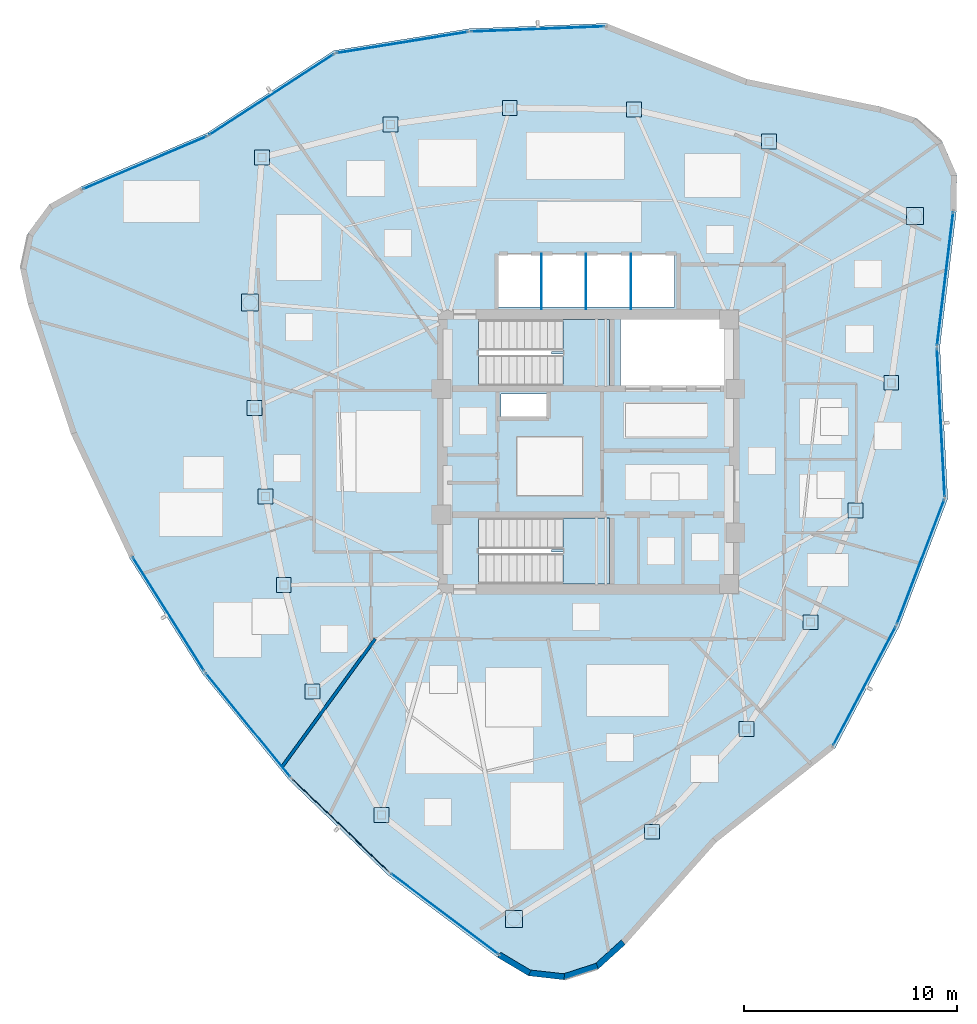
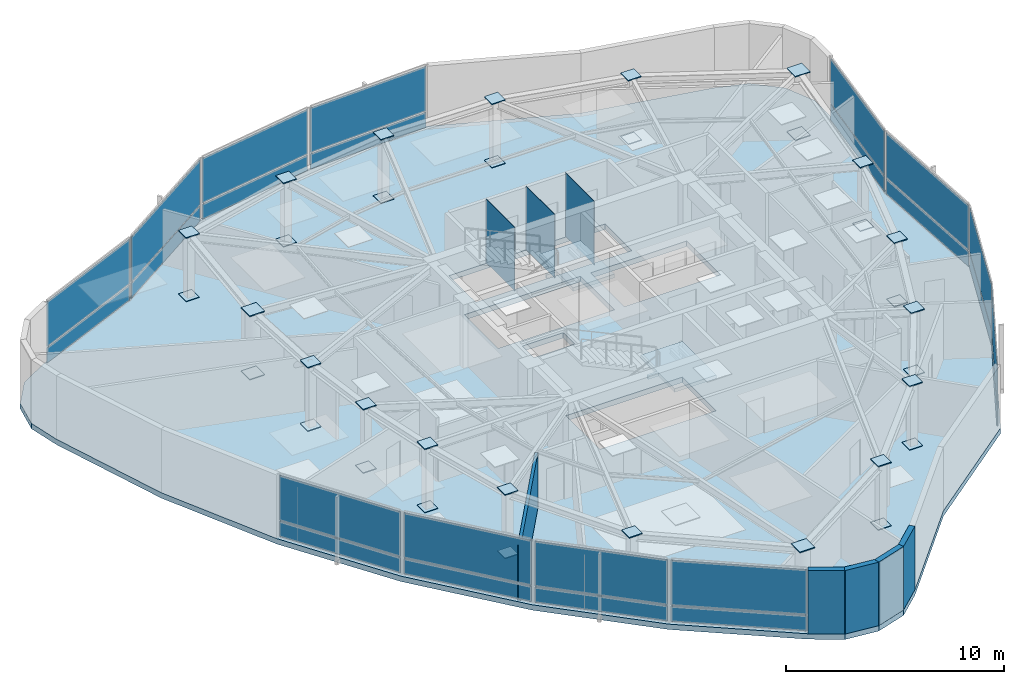
# One storey, part 7 of 12: 63 plates, 5 walls, 3 slabs, 14 elements without a shape of their own.
"""IFC4 building model written with IfcOpenShell, lengths in metres."""

from ifc_helpers import new_model, si_unit, direction, frame, frame_2d, origin, origin_2d, place, context, subcontext, project, spatial, polyline, rectangle, outline, extrude, source, transform, mapped, material, layer, layer_set, type_object, type_shapes, element, aggregate, save


model = new_model("IFC4")

# Units and contexts
model_context = context("Model", 3, precision=1e-05, world=origin(), true_north=direction((0.0, 1.0)))
body_context = subcontext(model_context, "Body", "Model", "MODEL_VIEW")
ifc_project = project(units=[si_unit("LENGTHUNIT", "METRE"), si_unit("AREAUNIT", "SQUARE_METRE"), si_unit("VOLUMEUNIT", "CUBIC_METRE"), si_unit("PLANEANGLEUNIT", "RADIAN"), si_unit("MASSUNIT", "GRAM", prefix="KILO")], contexts=[model_context])

# Site, building, storey
site_placement = place(None, origin())
site = spatial("IfcSite", under=ifc_project, at=site_placement, CompositionType="ELEMENT")
building_placement = place(site_placement, origin())
building = spatial("IfcBuilding", under=site, at=building_placement, Name="Tavelor Broadcast Tower", CompositionType="ELEMENT")
storey_placement = place(building_placement, frame((0.0, 0.0, 321.5)))
storey = spatial("IfcBuildingStorey", under=building, at=storey_placement, Name="L77", CompositionType="ELEMENT", Elevation=321.5)

# Stair, slab
ifc_material_1 = material(Name="Concrete C40/50", Category="concrete")
stair_type = type_object("IfcStairType", Name="Reinforced Concrete Protected Dogleg Stair 1450 mm", PredefinedType="HALF_TURN_STAIR", material=ifc_material_1)
stair_1_placement = place(storey_placement, origin())
stair_1 = element("IfcStair", 1, at=stair_1_placement, inside=storey, type_object=stair_type, Name="L77 Protected Core Exit Stair ST1", PredefinedType="HALF_TURN_STAIR")
ifc_layer_1 = layer(ifc_material_1, 0.199951171875)
ifc_layer_set_1 = layer_set([ifc_layer_1], Name="Concrete C40/50")
slab_type_1 = type_object("IfcSlabType", Name="Reinforced Concrete Stair Half-Landing Slab 200 mm", PredefinedType="LANDING", material=ifc_layer_set_1)
slab_1_placement = place(storey_placement, frame((0.0, 0.0, 1.800048828125)))
slab_1 = element("IfcSlab", 2, at=slab_1_placement, type_object=slab_type_1, Name="ST1 landing 1", PredefinedType="LANDING", context=body_context, shape_type="SweptSolid", body=[
    extrude(outline(polyline([(48.804931640625, 49.590087890625), (48.804931640625, 48.094970703125), (51.0048828125, 48.094970703125), (51.0048828125, 51.205078125), (48.804931640625, 51.205078125), (48.804931640625, 49.7099609375), (48.264892578125, 49.7099609375), (48.264892578125, 49.590087890625), (48.804931640625, 49.590087890625)])), origin(), (0.0, 0.0, 1.0), 0.199951171875),
])
aggregate(stair_1, [slab_1])

stair_2_placement = place(storey_placement, origin())
stair_2 = element("IfcStair", 3, at=stair_2_placement, inside=storey, type_object=stair_type, Name="L77 Protected Core Exit Stair ST2", PredefinedType="HALF_TURN_STAIR")
slab_2_placement = place(storey_placement, frame((0.0, 0.0, 1.800048828125)))
slab_2 = element("IfcSlab", 4, at=slab_2_placement, type_object=slab_type_1, Name="ST2 landing 1", PredefinedType="LANDING", context=body_context, shape_type="SweptSolid", body=[
    extrude(outline(polyline([(48.804931640625, 40.2900390625), (48.804931640625, 38.794921875), (51.0048828125, 38.794921875), (51.0048828125, 41.905029296875), (48.804931640625, 41.905029296875), (48.804931640625, 40.409912109375), (48.264892578125, 40.409912109375), (48.264892578125, 40.2900390625), (48.804931640625, 40.2900390625)])), origin(), (0.0, 0.0, 1.0), 0.199951171875),
])
aggregate(stair_2, [slab_2])

# Slab
ifc_layer_2 = layer(ifc_material_1, 0.300048828125)
ifc_layer_set_2 = layer_set([ifc_layer_2], Name="Concrete C40/50")
slab_type_2 = type_object("IfcSlabType", Name="Tower Composite Floor Slab 300 mm", PredefinedType="FLOOR", material=ifc_layer_set_2)
slab_3_placement = place(storey_placement, frame((0.0, 0.0, -0.300048828125)))
element("IfcSlab", 5, at=slab_3_placement, inside=storey, type_object=slab_type_2, Name="L77 Structural Floor Slab", PredefinedType="FLOOR", context=body_context, shape_type="SweptSolid", body=[
    extrude(outline(polyline([(26.188720703125, 57.428466796875), (24.71484375, 56.60302734375), (23.711181640625, 55.244384765625), (23.355712890625, 53.593017578125), (23.711181640625, 51.941650390625), (25.732666015625, 45.838134765625), (28.477783203125, 40.024169921875), (31.906005859375, 34.585205078125), (35.967529296875, 29.600830078125), (40.602294921875, 25.144775390625), (45.7421875, 21.2822265625), (47.194091796875, 20.41845703125), (48.87255859375, 20.228759765625), (50.480224609375, 20.74658203125), (51.732666015625, 21.880126953125), (56.0078125, 26.682373046875), (61.584228515625, 31.1025390625), (64.58056640625, 36.791259765625), (66.8662109375, 42.80078125), (66.493896484375, 49.90673828125), (67.26904296875, 56.289306640625), (67.291259765625, 57.978515625), (66.6162109375, 59.52685546875), (65.364013671875, 60.660400390625), (63.756103515625, 61.17822265625), (57.459716796875, 62.4794921875), (50.843505859375, 65.0986328125), (44.418701171875, 64.84912109375), (38.071533203125, 63.823974609375), (32.103515625, 59.948486328125), (26.188720703125, 57.428466796875)]), holes=[polyline([(50.99609375, 41.89599609375), (50.99609375, 38.803955078125), (44.85400390625, 38.803955078125), (44.85400390625, 41.89599609375), (50.99609375, 41.89599609375)]), polyline([(48.050048828125, 47.699951171875), (48.050048828125, 46.64990234375), (45.89990234375, 46.64990234375), (45.89990234375, 47.699951171875), (48.050048828125, 47.699951171875)]), polyline([(50.99609375, 51.196044921875), (50.99609375, 48.10400390625), (44.85400390625, 48.10400390625), (44.85400390625, 51.196044921875), (50.99609375, 51.196044921875)]), polyline([(56.60009765625, 48.10009765625), (51.52001953125, 48.10009765625), (51.52001953125, 51.199951171875), (56.60009765625, 51.199951171875), (56.60009765625, 48.10009765625)]), polyline([(54.050048828125, 51.800048828125), (45.800048828125, 51.800048828125), (45.800048828125, 54.25), (54.050048828125, 54.25), (54.050048828125, 51.800048828125)])]), origin(), (0.0, 0.0, 1.0), 0.300048828125),
])

# Plates
ifc_material_2 = material(Name="Steel S460", Category="steel")
ifc_layer_3 = layer(ifc_material_2, 0.050048828125)
ifc_layer_set_3 = layer_set([ifc_layer_3], Name="Steel S460")
plate_type_1 = type_object("IfcPlateType", Name="Tube Hollow-End Cap Plate KN05 700x700x50", PredefinedType="USERDEFINED", material=ifc_layer_set_3)
shared_shape_1 = source(origin(), body_context, "Body", "SweptSolid", [
    extrude(rectangle(XDim=0.699951171875, YDim=0.699951171875, at=origin_2d()), origin(), (0.0, 0.0, 1.0), 0.054931640625),
])
for number, where, z_axis, x_axis, name in (
    (6, (34.341552734375, 47.061279296875, -0.02734375), (0.0, 0.0, 1.0), (1.0, 0.0, 0.0), "L77 Hollow End Cap Plate KN05 #2355"),
    (7, (34.341552734375, 47.061279296875, 3.5224609375), (0.0, 0.0, 1.0), (1.0, 0.0, 0.0), "L77 Hollow End Cap Plate KN05 #2356"),
    (8, (34.85400390625, 42.90185546875, -0.02734375), (0.0, 0.0, 1.0), (1.0, 0.0, 0.0), "L77 Hollow End Cap Plate KN05 #2357"),
    (9, (34.85400390625, 42.90185546875, 3.5224609375), (0.0, 0.0, 1.0), (1.0, 0.0, 0.0), "L77 Hollow End Cap Plate KN05 #2358"),
    (10, (35.716552734375, 38.757080078125, -0.02734375), (0.0, 0.0, 1.0), (1.0, 0.0, 0.0), "L77 Hollow End Cap Plate KN05 #2359"),
    (11, (35.716552734375, 38.757080078125, 3.5224609375), (0.0, 0.0, 1.0), (1.0, 0.0, 0.0), "L77 Hollow End Cap Plate KN05 #2360"),
    (12, (37.068115234375, 33.759521484375, -0.02734375), (0.0, 0.0, 1.0), (1.0, 0.0, 0.0), "L77 Hollow End Cap Plate KN05 #2361"),
    (13, (37.068115234375, 33.759521484375, 3.5224609375), (0.0, 0.0, 1.0), (1.0, 0.0, 0.0), "L77 Hollow End Cap Plate KN05 #2362"),
    (14, (40.29638671875, 27.95361328125, -0.02734375), (0.0, 0.0, 1.0), (1.0, 0.0, 0.0), "L77 Hollow End Cap Plate KN05 #2363"),
    (15, (40.29638671875, 27.95361328125, 3.5224609375), (0.0, 0.0, 1.0), (1.0, 0.0, 0.0), "L77 Hollow End Cap Plate KN05 #2364"),
    (16, (52.992919921875, 27.1767578125, -0.02734375), (0.0, 0.0, 1.0), (1.0, 0.0, 0.0), "L77 Hollow End Cap Plate KN05 #2367"),
    (17, (52.992919921875, 27.1767578125, 3.5224609375), (0.0, 0.0, 1.0), (1.0, 0.0, 0.0), "L77 Hollow End Cap Plate KN05 #2368"),
    (18, (57.431396484375, 31.9921875, -0.02734375), (0.0, 0.0, 1.0), (1.0, 0.0, 0.0), "L77 Hollow End Cap Plate KN05 #2369"),
    (19, (57.431396484375, 31.9921875, 3.5224609375), (0.0, 0.0, 1.0), (1.0, 0.0, 0.0), "L77 Hollow End Cap Plate KN05 #2370"),
    (20, (60.41748046875, 37.00439453125, -0.02734375), (0.0, 0.0, 1.0), (1.0, 0.0, 0.0), "L77 Hollow End Cap Plate KN05 #2371"),
    (21, (60.41748046875, 37.00439453125, 3.5224609375), (0.0, 0.0, 1.0), (1.0, 0.0, 0.0), "L77 Hollow End Cap Plate KN05 #2372"),
    (22, (62.543701171875, 42.240478515625, -0.02734375), (0.0, 0.0, 1.0), (1.0, 0.0, 0.0), "L77 Hollow End Cap Plate KN05 #2373"),
    (23, (62.543701171875, 42.240478515625, 3.5224609375), (0.0, 0.0, 1.0), (1.0, 0.0, 0.0), "L77 Hollow End Cap Plate KN05 #2374"),
    (24, (64.21435546875, 48.2373046875, -0.02734375), (0.0, 0.0, 1.0), (1.0, 0.0, 0.0), "L77 Hollow End Cap Plate KN05 #2375"),
    (25, (64.21435546875, 48.2373046875, 3.5224609375), (0.0, 0.0, 1.0), (1.0, 0.0, 0.0), "L77 Hollow End Cap Plate KN05 #2376"),
    (26, (58.485595703125, 59.55712890625, -0.02734375), (0.0, 0.0, 1.0), (1.0, 0.0, 0.0), "L77 Hollow End Cap Plate KN05 #2379"),
    (27, (58.485595703125, 59.55712890625, 3.5224609375), (0.0, 0.0, 1.0), (1.0, 0.0, 0.0), "L77 Hollow End Cap Plate KN05 #2380"),
    (28, (52.147216796875, 61.05078125, -0.02734375), (0.0, 0.0, 1.0), (1.0, 0.0, 0.0), "L77 Hollow End Cap Plate KN05 #2381"),
    (29, (52.147216796875, 61.05078125, 3.5224609375), (0.0, 0.0, 1.0), (1.0, 0.0, 0.0), "L77 Hollow End Cap Plate KN05 #2382"),
    (30, (46.3154296875, 61.13720703125, -0.02734375), (0.0, 0.0, 1.0), (1.0, 0.0, 0.0), "L77 Hollow End Cap Plate KN05 #2383"),
    (31, (46.3154296875, 61.13720703125, 3.5224609375), (0.0, 0.0, 1.0), (1.0, 0.0, 0.0), "L77 Hollow End Cap Plate KN05 #2384"),
    (32, (40.718017578125, 60.36083984375, -0.02734375), (0.0, 0.0, 1.0), (1.0, 0.0, 0.0), "L77 Hollow End Cap Plate KN05 #2385"),
    (33, (40.718017578125, 60.36083984375, 3.5224609375), (0.0, 0.0, 1.0), (1.0, 0.0, 0.0), "L77 Hollow End Cap Plate KN05 #2386"),
    (34, (34.689208984375, 58.80908203125, -0.02734375), (0.0, 0.0, 1.0), (1.0, 0.0, 0.0), "L77 Hollow End Cap Plate KN05 #2387"),
    (35, (34.689208984375, 58.80908203125, 3.5224609375), (0.0, 0.0, 1.0), (1.0, 0.0, 0.0), "L77 Hollow End Cap Plate KN05 #2388"),
):
    element("IfcPlate", number, at=place(storey_placement, frame(where, z_axis=z_axis, x_axis=x_axis)), inside=storey, type_object=plate_type_1, Name=name, ObjectType="CAP PLATE", PredefinedType="USERDEFINED", context=body_context, shape_type="MappedRepresentation", body=[
        mapped(shared_shape_1, transform((0.0, 0.0, 0.0), scale=1.0)),
    ])
shared_shape_2 = source(origin(), body_context, "Body", "SweptSolid", [
    extrude(rectangle(XDim=0.791015625, YDim=0.791015625, at=origin_2d()), origin(), (0.0, 0.0, 1.0), 0.054931640625),
])
type_shapes(plate_type_1, [shared_shape_1, shared_shape_2])
for number, where, z_axis, x_axis, name in (
    (36, (34.134765625, 51.995849609375, -0.02734375), (0.0, 0.0, 1.0), (1.0, 0.0, 0.0), "L77 Hollow End Cap Plate KN05 #2353"),
    (37, (34.134765625, 51.995849609375, 3.5224609375), (0.0, 0.0, 1.0), (1.0, 0.0, 0.0), "L77 Hollow End Cap Plate KN05 #2354"),
    (38, (46.5146484375, 23.08740234375, -0.02734375), (0.0, 0.0, 1.0), (1.0, 0.0, 0.0), "L77 Hollow End Cap Plate KN05 #2365"),
    (39, (46.5146484375, 23.08740234375, 3.5224609375), (0.0, 0.0, 1.0), (1.0, 0.0, 0.0), "L77 Hollow End Cap Plate KN05 #2366"),
    (40, (65.319580078125, 56.0556640625, -0.02734375), (0.0, 0.0, 1.0), (1.0, 0.0, 0.0), "L77 Hollow End Cap Plate KN05 #2377"),
    (41, (65.319580078125, 56.0556640625, 3.5224609375), (0.0, 0.0, 1.0), (1.0, 0.0, 0.0), "L77 Hollow End Cap Plate KN05 #2378"),
):
    element("IfcPlate", number, at=place(storey_placement, frame(where, z_axis=z_axis, x_axis=x_axis)), inside=storey, type_object=plate_type_1, Name=name, ObjectType="CAP PLATE", PredefinedType="USERDEFINED", context=body_context, shape_type="MappedRepresentation", body=[
        mapped(shared_shape_2, transform((0.0, 0.0, 0.0), scale=1.0)),
    ])
ifc_material_3 = material(Name="Steel S355", Category="steel")
ifc_layer_4 = layer(ifc_material_3, 0.011962890625)
ifc_layer_set_4 = layer_set([ifc_layer_4], Name="Steel S355")
plate_type_2 = type_object("IfcPlateType", Name="Hoistway Steel Separator Screen 12 mm", PredefinedType="SHEET", material=ifc_layer_set_4)
shared_shape_3 = source(origin(), body_context, "Body", "SweptSolid", [
    extrude(rectangle(XDim=0.02001953125, YDim=2.6201171875, at=origin_2d()), origin(), (0.0, 0.0, 1.0), 3.550048828125),
])
type_shapes(plate_type_2, [shared_shape_3])
for number, where, z_axis, x_axis, name in (
    (42, (47.800048828125, 52.989990234375, 0.0), (0.0, 0.0, 1.0), (1.0, 0.0, 0.0), "L77 High-Rise Hoistway Separator Screen 1"),
    (43, (49.89990234375, 52.989990234375, 0.0), (0.0, 0.0, 1.0), (1.0, 0.0, 0.0), "L77 High-Rise Hoistway Separator Screen 2"),
    (44, (52.0, 52.989990234375, 0.0), (0.0, 0.0, 1.0), (1.0, 0.0, 0.0), "L77 High-Rise Hoistway Separator Screen 3"),
):
    element("IfcPlate", number, at=place(storey_placement, frame(where, z_axis=z_axis, x_axis=x_axis)), inside=storey, type_object=plate_type_2, Name=name, PredefinedType="SHEET", context=body_context, shape_type="MappedRepresentation", body=[
        mapped(shared_shape_3, transform((0.0, 0.0, 0.0), scale=1.0)),
    ])

# Curtain wall, plates
ifc_material_4 = material(Name="Architectural Anodized Aluminium", Category="aluminium")
ifc_layer_5 = layer(ifc_material_4, 0.199951171875)
ifc_layer_set_5 = layer_set([ifc_layer_5], Name="Architectural Anodized Aluminium")
curtain_wall_type = type_object("IfcCurtainWallType", Name="Tower High-Zone Triple-Glazed Curtain Wall CW04", PredefinedType="NOTDEFINED", material=ifc_layer_set_5)
curtain_wall_1_placement = place(storey_placement, origin())
curtain_wall_1 = element("IfcCurtainWall", 45, at=curtain_wall_1_placement, inside=storey, type_object=curtain_wall_type, Name="L77 Curtain Wall CW04 Run 853", PredefinedType="NOTDEFINED")
ifc_material_5 = material(Name="High-Altitude Triple Glazing 36 mm", Category="glass")
ifc_layer_6 = layer(ifc_material_5, 0.035888671875)
ifc_layer_set_6 = layer_set([ifc_layer_6], Name="High-Altitude Triple Glazing 36 mm")
plate_type_3 = type_object("IfcPlateType", Name="CW04 Insulated Vision Glazing Panel 36 mm", PredefinedType="CURTAIN_PANEL", material=ifc_layer_set_6)
shared_shape_4 = source(origin(), body_context, "Body", "SweptSolid", [
    extrude(rectangle(XDim=6.257568359375, YDim=0.035888671875, at=origin_2d()), origin(), (0.0, 0.0, 1.0), 0.844970703125),
])
plate_1_placement = place(storey_placement, frame((30.306396484375, 37.3857421875, 0.06982421875), z_axis=(0.0, 0.0, 1.0), x_axis=(0.533225297571, -0.845973275009, 0.0)))
plate_1 = element("IfcPlate", 46, at=plate_1_placement, type_object=plate_type_3, Name="CW04 panel 1.1", PredefinedType="CURTAIN_PANEL", context=body_context, shape_type="MappedRepresentation", body=[
    mapped(shared_shape_4, transform((0.0, 0.0, 0.0), scale=1.0)),
])
shared_shape_5 = source(origin(), body_context, "Body", "SweptSolid", [
    extrude(rectangle(XDim=6.257568359375, YDim=0.035888671875, at=origin_2d()), origin(), (0.0, 0.0, 1.0), 2.4951171875),
])
plate_2_placement = place(storey_placement, frame((30.306396484375, 37.3857421875, 0.98486328125), z_axis=(0.0, 0.0, 1.0), x_axis=(0.533225297571, -0.845973275009, 0.0)))
plate_2 = element("IfcPlate", 47, at=plate_2_placement, type_object=plate_type_3, Name="CW04 panel 1.2", PredefinedType="CURTAIN_PANEL", context=body_context, shape_type="MappedRepresentation", body=[
    mapped(shared_shape_5, transform((0.0, 0.0, 0.0), scale=1.0)),
])
aggregate(curtain_wall_1, [plate_1, plate_2])

# Curtain wall, plate
curtain_wall_2_placement = place(storey_placement, origin())
curtain_wall_2 = element("IfcCurtainWall", 48, at=curtain_wall_2_placement, inside=storey, type_object=curtain_wall_type, Name="L77 Curtain Wall CW04 Run 854", PredefinedType="NOTDEFINED")
shared_shape_6 = source(origin(), body_context, "Body", "SweptSolid", [
    extrude(rectangle(XDim=6.242431640625, YDim=0.035888671875, at=origin_2d()), origin(), (0.0, 0.0, 1.0), 0.844970703125),
])
plate_3_placement = place(storey_placement, frame((34.04541015625, 32.181396484375, 0.06982421875), z_axis=(0.0, 0.0, 1.0), x_axis=(0.631697363289, -0.775215093515, 0.0)))
plate_3 = element("IfcPlate", 49, at=plate_3_placement, type_object=plate_type_3, Name="CW04 panel 1.1", PredefinedType="CURTAIN_PANEL", context=body_context, shape_type="MappedRepresentation", body=[
    mapped(shared_shape_6, transform((0.0, 0.0, 0.0), scale=1.0)),
])

curtain_wall_3_placement = place(storey_placement, origin())
curtain_wall_3 = element("IfcCurtainWall", 50, at=curtain_wall_3_placement, inside=storey, type_object=curtain_wall_type, Name="L77 Curtain Wall CW04 Run 855", PredefinedType="NOTDEFINED")
plate_4_placement = place(storey_placement, frame((38.382080078125, 27.4736328125, 0.06982421875), z_axis=(0.0, 0.0, 1.0), x_axis=(0.720867687695, -0.693072706747, 0.0)))
plate_4 = element("IfcPlate", 51, at=plate_4_placement, type_object=plate_type_3, Name="CW04 panel 1.1", PredefinedType="CURTAIN_PANEL", context=body_context, shape_type="MappedRepresentation", body=[
    mapped(shared_shape_6, transform((0.0, 0.0, 0.0), scale=1.0)),
])

# Plate
shared_shape_7 = source(origin(), body_context, "Body", "SweptSolid", [
    extrude(rectangle(XDim=6.242431640625, YDim=0.035888671875, at=origin_2d()), origin(), (0.0, 0.0, 1.0), 2.4951171875),
])
plate_5_placement = place(storey_placement, frame((34.04541015625, 32.181396484375, 0.98486328125), z_axis=(0.0, 0.0, 1.0), x_axis=(0.631697363289, -0.775215093515, 0.0)))
plate_5 = element("IfcPlate", 52, at=plate_5_placement, type_object=plate_type_3, Name="CW04 panel 1.2", PredefinedType="CURTAIN_PANEL", context=body_context, shape_type="MappedRepresentation", body=[
    mapped(shared_shape_7, transform((0.0, 0.0, 0.0), scale=1.0)),
])

aggregate(curtain_wall_2, [plate_3, plate_5])

plate_6_placement = place(storey_placement, frame((38.382080078125, 27.4736328125, 0.98486328125), z_axis=(0.0, 0.0, 1.0), x_axis=(0.720867687695, -0.693072706747, 0.0)))
plate_6 = element("IfcPlate", 53, at=plate_6_placement, type_object=plate_type_3, Name="CW04 panel 1.2", PredefinedType="CURTAIN_PANEL", context=body_context, shape_type="MappedRepresentation", body=[
    mapped(shared_shape_7, transform((0.0, 0.0, 0.0), scale=1.0)),
])

aggregate(curtain_wall_3, [plate_4, plate_6])

# Curtain wall, plates
curtain_wall_4_placement = place(storey_placement, origin())
curtain_wall_4 = element("IfcCurtainWall", 54, at=curtain_wall_4_placement, inside=storey, type_object=curtain_wall_type, Name="L77 Curtain Wall CW04 Run 856", PredefinedType="NOTDEFINED")
shared_shape_8 = source(origin(), body_context, "Body", "SweptSolid", [
    extrude(rectangle(XDim=6.25830078125, YDim=0.035888671875, at=origin_2d()), origin(), (0.0, 0.0, 1.0), 0.844970703125),
])
plate_7_placement = place(storey_placement, frame((43.262939453125, 23.320556640625, 0.06982421875), z_axis=(0.0, 0.0, 1.0), x_axis=(0.799438882149, -0.600747429214, 0.0)))
plate_7 = element("IfcPlate", 55, at=plate_7_placement, type_object=plate_type_3, Name="CW04 panel 1.1", PredefinedType="CURTAIN_PANEL", context=body_context, shape_type="MappedRepresentation", body=[
    mapped(shared_shape_8, transform((0.0, 0.0, 0.0), scale=1.0)),
])
shared_shape_9 = source(origin(), body_context, "Body", "SweptSolid", [
    extrude(rectangle(XDim=6.25830078125, YDim=0.035888671875, at=origin_2d()), origin(), (0.0, 0.0, 1.0), 2.4951171875),
])
plate_8_placement = place(storey_placement, frame((43.262939453125, 23.320556640625, 0.98486328125), z_axis=(0.0, 0.0, 1.0), x_axis=(0.799438882149, -0.600747429214, 0.0)))
plate_8 = element("IfcPlate", 56, at=plate_8_placement, type_object=plate_type_3, Name="CW04 panel 1.2", PredefinedType="CURTAIN_PANEL", context=body_context, shape_type="MappedRepresentation", body=[
    mapped(shared_shape_9, transform((0.0, 0.0, 0.0), scale=1.0)),
])
aggregate(curtain_wall_4, [plate_7, plate_8])

# Curtain wall, plate
curtain_wall_5_placement = place(storey_placement, origin())
curtain_wall_5 = element("IfcCurtainWall", 57, at=curtain_wall_5_placement, inside=storey, type_object=curtain_wall_type, Name="L77 Curtain Wall CW04 Run 857", PredefinedType="NOTDEFINED")
shared_shape_10 = source(origin(), body_context, "Body", "SweptSolid", [
    extrude(rectangle(XDim=6.236328125, YDim=0.035888671875, at=origin_2d()), origin(), (0.0, 0.0, 1.0), 0.844970703125),
])
plate_9_placement = place(storey_placement, frame((62.9599609375, 34.0146484375, 0.06982421875), z_axis=(0.0, 0.0, 1.0), x_axis=(0.466014652094, 0.884777002433, 0.0)))
plate_9 = element("IfcPlate", 58, at=plate_9_placement, type_object=plate_type_3, Name="CW04 panel 1.1", PredefinedType="CURTAIN_PANEL", context=body_context, shape_type="MappedRepresentation", body=[
    mapped(shared_shape_10, transform((0.0, 0.0, 0.0), scale=1.0)),
])

curtain_wall_6_placement = place(storey_placement, origin())
curtain_wall_6 = element("IfcCurtainWall", 59, at=curtain_wall_6_placement, inside=storey, type_object=curtain_wall_type, Name="L77 Curtain Wall CW04 Run 861", PredefinedType="NOTDEFINED")
plate_10_placement = place(storey_placement, frame((47.633544921875, 64.833984375, 0.06982421875), z_axis=(0.0, 0.0, 1.0), x_axis=(-0.999245806563, -0.038830633083, 0.0)))
plate_10 = element("IfcPlate", 60, at=plate_10_placement, type_object=plate_type_3, Name="CW04 panel 1.1", PredefinedType="CURTAIN_PANEL", context=body_context, shape_type="MappedRepresentation", body=[
    mapped(shared_shape_10, transform((0.0, 0.0, 0.0), scale=1.0)),
])

# Plate
shared_shape_11 = source(origin(), body_context, "Body", "SweptSolid", [
    extrude(rectangle(XDim=6.236328125, YDim=0.035888671875, at=origin_2d()), origin(), (0.0, 0.0, 1.0), 2.4951171875),
])
plate_11_placement = place(storey_placement, frame((62.9599609375, 34.0146484375, 0.98486328125), z_axis=(0.0, 0.0, 1.0), x_axis=(0.466014652094, 0.884777002433, 0.0)))
plate_11 = element("IfcPlate", 61, at=plate_11_placement, type_object=plate_type_3, Name="CW04 panel 1.2", PredefinedType="CURTAIN_PANEL", context=body_context, shape_type="MappedRepresentation", body=[
    mapped(shared_shape_11, transform((0.0, 0.0, 0.0), scale=1.0)),
])

aggregate(curtain_wall_5, [plate_9, plate_11])

plate_12_placement = place(storey_placement, frame((47.633544921875, 64.833984375, 0.98486328125), z_axis=(0.0, 0.0, 1.0), x_axis=(-0.999245806563, -0.038830633083, 0.0)))
plate_12 = element("IfcPlate", 62, at=plate_12_placement, type_object=plate_type_3, Name="CW04 panel 1.2", PredefinedType="CURTAIN_PANEL", context=body_context, shape_type="MappedRepresentation", body=[
    mapped(shared_shape_11, transform((0.0, 0.0, 0.0), scale=1.0)),
])

aggregate(curtain_wall_6, [plate_10, plate_12])

# Curtain wall, plate
curtain_wall_7_placement = place(storey_placement, origin())
curtain_wall_7 = element("IfcCurtainWall", 63, at=curtain_wall_7_placement, inside=storey, type_object=curtain_wall_type, Name="L77 Curtain Wall CW04 Run 858", PredefinedType="NOTDEFINED")
shared_shape_12 = source(origin(), body_context, "Body", "SweptSolid", [
    extrude(rectangle(XDim=6.221435546875, YDim=0.035888671875, at=origin_2d()), origin(), (0.0, 0.0, 1.0), 0.844970703125),
])
plate_13_placement = place(storey_placement, frame((65.5888671875, 39.8359375, 0.06982421875), z_axis=(0.0, 0.0, 1.0), x_axis=(0.355500434785, 0.93467611549, 0.0)))
plate_13 = element("IfcPlate", 64, at=plate_13_placement, type_object=plate_type_3, Name="CW04 panel 1.1", PredefinedType="CURTAIN_PANEL", context=body_context, shape_type="MappedRepresentation", body=[
    mapped(shared_shape_12, transform((0.0, 0.0, 0.0), scale=1.0)),
])

curtain_wall_8_placement = place(storey_placement, origin())
curtain_wall_8 = element("IfcCurtainWall", 65, at=curtain_wall_8_placement, inside=storey, type_object=curtain_wall_type, Name="L77 Curtain Wall CW04 Run 862", PredefinedType="NOTDEFINED")
plate_14_placement = place(storey_placement, frame((41.27783203125, 64.199951171875, 0.06982421875), z_axis=(0.0, 0.0, 1.0), x_axis=(-0.987206580808, -0.159446438687, 0.0)))
plate_14 = element("IfcPlate", 66, at=plate_14_placement, type_object=plate_type_3, Name="CW04 panel 1.1", PredefinedType="CURTAIN_PANEL", context=body_context, shape_type="MappedRepresentation", body=[
    mapped(shared_shape_12, transform((0.0, 0.0, 0.0), scale=1.0)),
])

# Plate
shared_shape_13 = source(origin(), body_context, "Body", "SweptSolid", [
    extrude(rectangle(XDim=6.221435546875, YDim=0.035888671875, at=origin_2d()), origin(), (0.0, 0.0, 1.0), 2.4951171875),
])
plate_15_placement = place(storey_placement, frame((65.5888671875, 39.8359375, 0.98486328125), z_axis=(0.0, 0.0, 1.0), x_axis=(0.355500434785, 0.93467611549, 0.0)))
plate_15 = element("IfcPlate", 67, at=plate_15_placement, type_object=plate_type_3, Name="CW04 panel 1.2", PredefinedType="CURTAIN_PANEL", context=body_context, shape_type="MappedRepresentation", body=[
    mapped(shared_shape_13, transform((0.0, 0.0, 0.0), scale=1.0)),
])

aggregate(curtain_wall_7, [plate_13, plate_15])

plate_16_placement = place(storey_placement, frame((41.27783203125, 64.199951171875, 0.98486328125), z_axis=(0.0, 0.0, 1.0), x_axis=(-0.987206580808, -0.159446438687, 0.0)))
plate_16 = element("IfcPlate", 68, at=plate_16_placement, type_object=plate_type_3, Name="CW04 panel 1.2", PredefinedType="CURTAIN_PANEL", context=body_context, shape_type="MappedRepresentation", body=[
    mapped(shared_shape_13, transform((0.0, 0.0, 0.0), scale=1.0)),
])

aggregate(curtain_wall_8, [plate_14, plate_16])

# Curtain wall, plate
curtain_wall_9_placement = place(storey_placement, origin())
curtain_wall_9 = element("IfcCurtainWall", 69, at=curtain_wall_9_placement, inside=storey, type_object=curtain_wall_type, Name="L77 Curtain Wall CW04 Run 859", PredefinedType="NOTDEFINED")
shared_shape_14 = source(origin(), body_context, "Body", "SweptSolid", [
    extrude(rectangle(XDim=6.928466796875, YDim=0.035888671875, at=origin_2d()), origin(), (0.0, 0.0, 1.0), 0.844970703125),
])
plate_17_placement = place(storey_placement, frame((66.539306640625, 46.3671875, 0.06982421875), z_axis=(0.0, 0.0, 1.0), x_axis=(-0.052316764018, 0.998630540392, 0.0)))
plate_17 = element("IfcPlate", 70, at=plate_17_placement, type_object=plate_type_3, Name="CW04 panel 1.1", PredefinedType="CURTAIN_PANEL", context=body_context, shape_type="MappedRepresentation", body=[
    mapped(shared_shape_14, transform((0.0, 0.0, 0.0), scale=1.0)),
])

curtain_wall_10_placement = place(storey_placement, origin())
curtain_wall_10 = element("IfcCurtainWall", 71, at=curtain_wall_10_placement, inside=storey, type_object=curtain_wall_type, Name="L77 Curtain Wall CW04 Run 863", PredefinedType="NOTDEFINED")
plate_18_placement = place(storey_placement, frame((35.146240234375, 61.75732421875, 0.06982421875), z_axis=(0.0, 0.0, 1.0), x_axis=(-0.838688857342, -0.544610870778, 0.0)))
plate_18 = element("IfcPlate", 72, at=plate_18_placement, type_object=plate_type_3, Name="CW04 panel 1.1", PredefinedType="CURTAIN_PANEL", context=body_context, shape_type="MappedRepresentation", body=[
    mapped(shared_shape_14, transform((0.0, 0.0, 0.0), scale=1.0)),
])

# Plate
shared_shape_15 = source(origin(), body_context, "Body", "SweptSolid", [
    extrude(rectangle(XDim=6.928466796875, YDim=0.035888671875, at=origin_2d()), origin(), (0.0, 0.0, 1.0), 2.4951171875),
])
plate_19_placement = place(storey_placement, frame((66.539306640625, 46.3671875, 0.98486328125), z_axis=(0.0, 0.0, 1.0), x_axis=(-0.052316764018, 0.998630540392, 0.0)))
plate_19 = element("IfcPlate", 73, at=plate_19_placement, type_object=plate_type_3, Name="CW04 panel 1.2", PredefinedType="CURTAIN_PANEL", context=body_context, shape_type="MappedRepresentation", body=[
    mapped(shared_shape_15, transform((0.0, 0.0, 0.0), scale=1.0)),
])

aggregate(curtain_wall_9, [plate_17, plate_19])

plate_20_placement = place(storey_placement, frame((35.146240234375, 61.75732421875, 0.98486328125), z_axis=(0.0, 0.0, 1.0), x_axis=(-0.838688857342, -0.544610870778, 0.0)))
plate_20 = element("IfcPlate", 74, at=plate_20_placement, type_object=plate_type_3, Name="CW04 panel 1.2", PredefinedType="CURTAIN_PANEL", context=body_context, shape_type="MappedRepresentation", body=[
    mapped(shared_shape_15, transform((0.0, 0.0, 0.0), scale=1.0)),
])

aggregate(curtain_wall_10, [plate_18, plate_20])

# Curtain wall, plate
curtain_wall_11_placement = place(storey_placement, origin())
curtain_wall_11 = element("IfcCurtainWall", 75, at=curtain_wall_11_placement, inside=storey, type_object=curtain_wall_type, Name="L77 Curtain Wall CW04 Run 860", PredefinedType="NOTDEFINED")
shared_shape_16 = source(origin(), body_context, "Body", "SweptSolid", [
    extrude(rectangle(XDim=6.279052734375, YDim=0.035888671875, at=origin_2d()), origin(), (0.0, 0.0, 1.0), 0.844970703125),
])
plate_21_placement = place(storey_placement, frame((66.7421875, 53.112548828125, 0.06982421875), z_axis=(0.0, 0.0, 1.0), x_axis=(0.120530953321, 0.992709569457, 0.0)))
plate_21 = element("IfcPlate", 76, at=plate_21_placement, type_object=plate_type_3, Name="CW04 panel 1.1", PredefinedType="CURTAIN_PANEL", context=body_context, shape_type="MappedRepresentation", body=[
    mapped(shared_shape_16, transform((0.0, 0.0, 0.0), scale=1.0)),
])

curtain_wall_12_placement = place(storey_placement, origin())
curtain_wall_12 = element("IfcCurtainWall", 77, at=curtain_wall_12_placement, inside=storey, type_object=curtain_wall_type, Name="L77 Curtain Wall CW04 Run 864", PredefinedType="NOTDEFINED")
plate_22_placement = place(storey_placement, frame((29.203125, 58.560546875, 0.06982421875), z_axis=(0.0, 0.0, 1.0), x_axis=(-0.919984971798, -0.391953634588, 0.0)))
plate_22 = element("IfcPlate", 78, at=plate_22_placement, type_object=plate_type_3, Name="CW04 panel 1.1", PredefinedType="CURTAIN_PANEL", context=body_context, shape_type="MappedRepresentation", body=[
    mapped(shared_shape_16, transform((0.0, 0.0, 0.0), scale=1.0)),
])

# Plate
shared_shape_17 = source(origin(), body_context, "Body", "SweptSolid", [
    extrude(rectangle(XDim=6.279052734375, YDim=0.035888671875, at=origin_2d()), origin(), (0.0, 0.0, 1.0), 2.4951171875),
])
type_shapes(plate_type_3, [shared_shape_4, shared_shape_5, shared_shape_6, shared_shape_7, shared_shape_8, shared_shape_9, shared_shape_10, shared_shape_11, shared_shape_12, shared_shape_13, shared_shape_14, shared_shape_15, shared_shape_16, shared_shape_17])
plate_23_placement = place(storey_placement, frame((66.7421875, 53.112548828125, 0.98486328125), z_axis=(0.0, 0.0, 1.0), x_axis=(0.120530953321, 0.992709569457, 0.0)))
plate_23 = element("IfcPlate", 79, at=plate_23_placement, type_object=plate_type_3, Name="CW04 panel 1.2", PredefinedType="CURTAIN_PANEL", context=body_context, shape_type="MappedRepresentation", body=[
    mapped(shared_shape_17, transform((0.0, 0.0, 0.0), scale=1.0)),
])

aggregate(curtain_wall_11, [plate_21, plate_23])

plate_24_placement = place(storey_placement, frame((29.203125, 58.560546875, 0.98486328125), z_axis=(0.0, 0.0, 1.0), x_axis=(-0.919984971798, -0.391953634588, 0.0)))
plate_24 = element("IfcPlate", 80, at=plate_24_placement, type_object=plate_type_3, Name="CW04 panel 1.2", PredefinedType="CURTAIN_PANEL", context=body_context, shape_type="MappedRepresentation", body=[
    mapped(shared_shape_17, transform((0.0, 0.0, 0.0), scale=1.0)),
])

aggregate(curtain_wall_12, [plate_22, plate_24])

# Walls
ifc_material_6 = material(Name="Precast Concrete C40/50", Category="concrete")
ifc_layer_7 = layer(ifc_material_6, 0.280029296875)
ifc_layer_set_7 = layer_set([ifc_layer_7], Name="Precast Concrete C40/50")
wall_type_1 = type_object("IfcWallType", Name="Insulated Precast Terracotta Facade Wall 280 mm", PredefinedType="STANDARD", material=ifc_layer_set_7)
wall_1_placement = place(storey_placement, frame((45.81689453125, 21.400634765625, 0.0), z_axis=(0.0, 0.0, 1.0), x_axis=(0.859459534557, -0.51120378369, 0.0)))
element("IfcWall", 81, at=wall_1_placement, inside=storey, type_object=wall_type_1, Name="L77 Rounded Corner Structural Cladding Pier 11", PredefinedType="STANDARD", context=body_context, shape_type="SweptSolid", body=[
    extrude(rectangle(XDim=1.670654296875, YDim=0.280029296875, at=frame_2d((0.83544921875, 0.0))), origin(), (0.0, 0.0, 1.0), 3.550048828125),
])
for number, where, z_axis, x_axis, name in (
    (82, (47.224853515625, 20.555908203125, 0.0), (0.0, 0.0, 1.0), (0.993675605245, -0.112288875415, 0.0), "L77 Rounded Corner Structural Cladding Pier 12"),
    (83, (48.843994140625, 20.36669921875, 0.0), (0.0, 0.0, 1.0), (0.951856918908, 0.306542665752, 0.0), "L77 Rounded Corner Structural Cladding Pier 13"),
):
    element("IfcWall", number, at=place(storey_placement, frame(where, z_axis=z_axis, x_axis=x_axis)), inside=storey, type_object=wall_type_1, Name=name, PredefinedType="STANDARD", context=body_context, shape_type="SweptSolid", body=[
        extrude(rectangle(XDim=1.658935546875, YDim=0.280029296875, at=frame_2d((0.82958984375, 0.0))), origin(), (0.0, 0.0, 1.0), 3.550048828125),
    ])
wall_2_placement = place(storey_placement, frame((50.397705078125, 20.860595703125, 0.0), z_axis=(0.0, 0.0, 1.0), x_axis=(0.741370646034, 0.671095794354, 0.0)))
element("IfcWall", 84, at=wall_2_placement, inside=storey, type_object=wall_type_1, Name="L77 Rounded Corner Structural Cladding Pier 14", PredefinedType="STANDARD", context=body_context, shape_type="SweptSolid", body=[
    extrude(rectangle(XDim=1.681396484375, YDim=0.280029296875, at=frame_2d((0.8408203125, 0.0))), origin(), (0.0, 0.0, 1.0), 3.550048828125),
])
ifc_material_7 = material(Name="Gypsum Acoustic Plasterboard 150 mm", Category="gypsum")
ifc_layer_8 = layer(ifc_material_7, 0.14990234375)
ifc_layer_set_8 = layer_set([ifc_layer_8], Name="Gypsum Acoustic Plasterboard 150 mm")
wall_type_2 = type_object("IfcWallType", Name="Interior Acoustic Partition Wall 150 mm", PredefinedType="PARTITIONING", material=ifc_layer_set_8)
wall_3_placement = place(storey_placement, frame((40.0048828125, 36.219970703125, 0.0), z_axis=(0.0, 0.0, 1.0), x_axis=(-0.58875799432, -0.808309361646, 0.0)))
element("IfcWall", 85, at=wall_3_placement, inside=storey, type_object=wall_type_2, Name="L77 Radial Compartment Wall 11", PredefinedType="PARTITIONING", context=body_context, shape_type="SweptSolid", body=[
    extrude(rectangle(XDim=7.426025390625, YDim=0.14990234375, at=frame_2d((3.712890625, 0.0))), origin(), (0.0, 0.0, 1.0), 3.074951171875),
])

save(model, "model.ifc")
